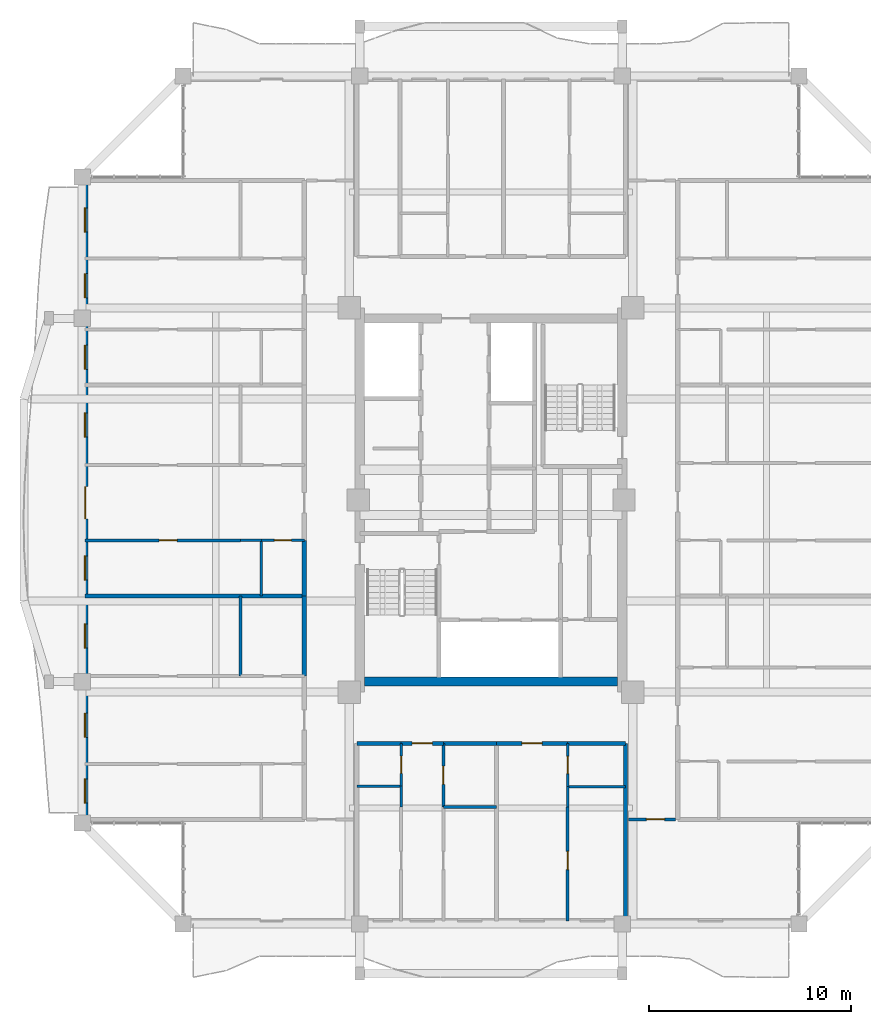
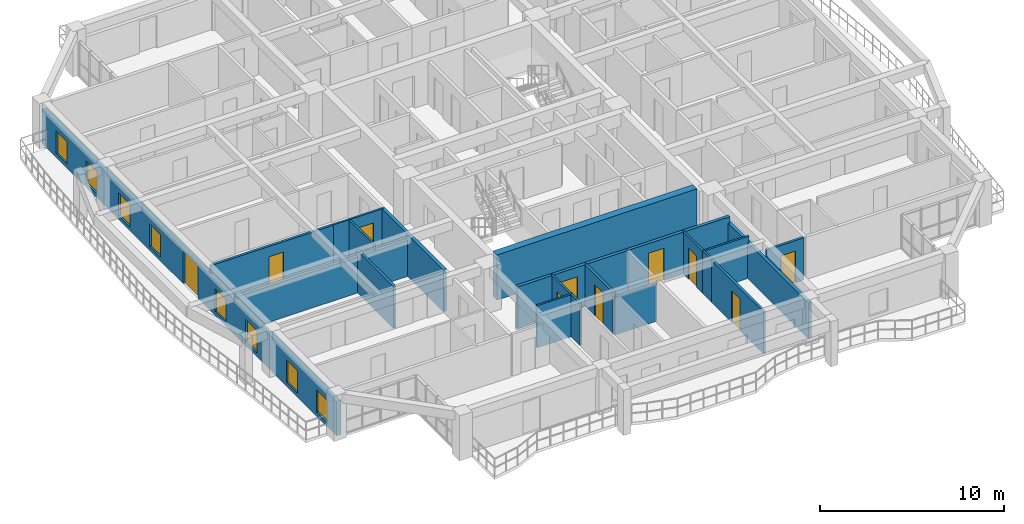
# One storey, part 11 of 22: 26 walls, 10 doors, 8 windows, 18 openings.
"""IFC4 building model written with IfcOpenShell, lengths in metres."""

from ifc_helpers import new_model, si_unit, direction, frame, frame_2d, origin, place, context, subcontext, project, spatial, rectangle, extrude, source, transform, mapped, material, layer, layer_set, type_object, element, fill, save


model = new_model("IFC4")

# Units and contexts
model_context = context("Model", 3, precision=1e-05, world=origin(), true_north=direction((0.0, 1.0)))
body_context = subcontext(model_context, "Body", "Model", "MODEL_VIEW")
ifc_project = project(units=[si_unit("LENGTHUNIT", "METRE"), si_unit("AREAUNIT", "SQUARE_METRE"), si_unit("VOLUMEUNIT", "CUBIC_METRE"), si_unit("PLANEANGLEUNIT", "RADIAN"), si_unit("MASSUNIT", "GRAM", prefix="KILO")], contexts=[model_context])

# Site, building, storey
site_placement = place(None, origin())
site = spatial("IfcSite", under=ifc_project, at=site_placement, CompositionType="ELEMENT")
building_placement = place(site_placement, origin())
building = spatial("IfcBuilding", under=site, at=building_placement, Name="Saelheon Loggia Tower", CompositionType="ELEMENT")
storey_placement = place(building_placement, frame((0.0, 0.0, 176.800048828125)))
storey = spatial("IfcBuildingStorey", under=building, at=storey_placement, Name="L55", CompositionType="ELEMENT", Elevation=176.800048828125)

# Wall
ifc_material_1 = material(Name="Concrete C45/55", Category="concrete")
ifc_layer_1 = layer(ifc_material_1, 0.449951171875)
ifc_layer_set_1 = layer_set([ifc_layer_1], Name="Concrete C45/55")
wall_type_1 = type_object("IfcWallType", Name="Wall_CoreShear_450", PredefinedType="SHEAR", material=ifc_layer_set_1)
wall_1_placement = place(storey_placement, frame((31.72509765625, 18.0, 0.0), z_axis=(0.0, 0.0, 1.0), x_axis=(1.0, 0.0, 0.0)))
element("IfcWall", 1, at=wall_1_placement, inside=storey, type_object=wall_type_1, Name="L55 Core Shear Wall South", PredefinedType="SHEAR", context=body_context, shape_type="SweptSolid", body=[
    extrude(rectangle(XDim=12.5498046875, YDim=0.449951171875, at=frame_2d((6.27490234375, 0.0))), origin(), (0.0, 0.0, 1.0), 3.0),
])

# Wall, openings, windows, door
ifc_material_2 = material(Name="Architectural Precast Concrete C40/50", Category="concrete")
ifc_layer_2 = layer(ifc_material_2, 0.280029296875)
ifc_layer_set_2 = layer_set([ifc_layer_2], Name="Architectural Precast Concrete C40/50")
wall_type_2 = type_object("IfcWallType", Name="Wall_Ext_Loggia_280", PredefinedType="SOLIDWALL", material=ifc_layer_set_2)
wall_2_placement = place(storey_placement, frame((17.889892578125, 11.0, 0.0), z_axis=(0.0, 0.0, 1.0), x_axis=(0.0, 1.0, 0.0)))
wall_2 = element("IfcWall", 2, at=wall_2_placement, inside=storey, type_object=wall_type_2, Name="L55 West Loggia Inner Wall", PredefinedType="SOLIDWALL", context=body_context, shape_type="SweptSolid", body=[
    extrude(rectangle(XDim=32.0, YDim=0.280029296875, at=frame_2d((16.0, 0.0))), origin(), (0.0, 0.0, 1.0), 2.280029296875),
])
opening_1_placement = place(wall_2_placement, frame((0.985107421875, 0.0, 0.25)))
opening_1 = element("IfcOpeningElement", 3, at=opening_1_placement, cuts=wall_2, Name="Opening WN-03", PredefinedType="OPENING", context=body_context, shape_type="SweptSolid", body=[
    extrude(rectangle(XDim=1.199951171875, YDim=1.5, at=frame_2d((0.60009765625, 0.75))), frame((0.0, 0.152099609375, 0.0), z_axis=(0.0, -1.0, 0.0), x_axis=(1.0, 0.0, 0.0)), (0.0, 0.0, 1.0), 0.303955078125),
])
opening_2_placement = place(wall_2_placement, frame((4.2451171875, 0.0, 0.25)))
opening_2 = element("IfcOpeningElement", 4, at=opening_2_placement, cuts=wall_2, Name="Opening WN-03", PredefinedType="OPENING", context=body_context, shape_type="SweptSolid", body=[
    extrude(rectangle(XDim=1.199951171875, YDim=1.5, at=frame_2d((0.60009765625, 0.75))), frame((0.0, 0.152099609375, 0.0), z_axis=(0.0, -1.0, 0.0), x_axis=(1.0, 0.0, 0.0)), (0.0, 0.0, 1.0), 0.303955078125),
])
opening_3_placement = place(wall_2_placement, frame((8.6669921875, 0.0, 0.25)))
opening_3 = element("IfcOpeningElement", 5, at=opening_3_placement, cuts=wall_2, Name="Opening WN-03", PredefinedType="OPENING", context=body_context, shape_type="SweptSolid", body=[
    extrude(rectangle(XDim=1.199951171875, YDim=1.5, at=frame_2d((0.60009765625, 0.75))), frame((0.0, 0.152099609375, 0.0), z_axis=(0.0, -1.0, 0.0), x_axis=(1.0, 0.0, 0.0)), (0.0, 0.0, 1.0), 0.303955078125),
])
opening_4_placement = place(wall_2_placement, frame((12.029052734375, 0.0, 0.25)))
opening_4 = element("IfcOpeningElement", 6, at=opening_4_placement, cuts=wall_2, Name="Opening WN-03", PredefinedType="OPENING", context=body_context, shape_type="SweptSolid", body=[
    extrude(rectangle(XDim=1.199951171875, YDim=1.5, at=frame_2d((0.60009765625, 0.75))), frame((0.0, 0.152099609375, 0.0), z_axis=(0.0, -1.0, 0.0), x_axis=(1.0, 0.0, 0.0)), (0.0, 0.0, 1.0), 0.303955078125),
])
opening_5_placement = place(wall_2_placement, frame((15.065673828125, 0.0, 0.0)))
opening_5 = element("IfcOpeningElement", 7, at=opening_5_placement, cuts=wall_2, Name="Opening DLG-1", PredefinedType="OPENING", context=body_context, shape_type="SweptSolid", body=[
    extrude(rectangle(XDim=1.60009765625, YDim=2.14990234375, at=frame_2d((0.800048828125, 1.074951171875))), frame((0.0, 0.152099609375, 0.0), z_axis=(0.0, -1.0, 0.0), x_axis=(1.0, 0.0, 0.0)), (0.0, 0.0, 1.0), 0.303955078125),
])
opening_6_placement = place(wall_2_placement, frame((19.111328125, 0.0, 0.25)))
opening_6 = element("IfcOpeningElement", 8, at=opening_6_placement, cuts=wall_2, Name="Opening WN-03", PredefinedType="OPENING", context=body_context, shape_type="SweptSolid", body=[
    extrude(rectangle(XDim=1.199951171875, YDim=1.5, at=frame_2d((0.60009765625, 0.75))), frame((0.0, 0.152099609375, 0.0), z_axis=(0.0, -1.0, 0.0), x_axis=(1.0, 0.0, 0.0)), (0.0, 0.0, 1.0), 0.303955078125),
])
opening_7_placement = place(wall_2_placement, frame((22.47021484375, 0.0, 0.25)))
opening_7 = element("IfcOpeningElement", 9, at=opening_7_placement, cuts=wall_2, Name="Opening WN-03", PredefinedType="OPENING", context=body_context, shape_type="SweptSolid", body=[
    extrude(rectangle(XDim=1.199951171875, YDim=1.5, at=frame_2d((0.60009765625, 0.75))), frame((0.0, 0.152099609375, 0.0), z_axis=(0.0, -1.0, 0.0), x_axis=(1.0, 0.0, 0.0)), (0.0, 0.0, 1.0), 0.303955078125),
])
opening_8_placement = place(wall_2_placement, frame((26.00634765625, 0.0, 0.25)))
opening_8 = element("IfcOpeningElement", 10, at=opening_8_placement, cuts=wall_2, Name="Opening WN-03", PredefinedType="OPENING", context=body_context, shape_type="SweptSolid", body=[
    extrude(rectangle(XDim=1.199951171875, YDim=1.5, at=frame_2d((0.60009765625, 0.75))), frame((0.0, 0.152099609375, 0.0), z_axis=(0.0, -1.0, 0.0), x_axis=(1.0, 0.0, 0.0)), (0.0, 0.0, 1.0), 0.303955078125),
])
opening_9_placement = place(wall_2_placement, frame((29.266357421875, 0.0, 0.25)))
opening_9 = element("IfcOpeningElement", 11, at=opening_9_placement, cuts=wall_2, Name="Opening WN-03", PredefinedType="OPENING", context=body_context, shape_type="SweptSolid", body=[
    extrude(rectangle(XDim=1.199951171875, YDim=1.5, at=frame_2d((0.60009765625, 0.75))), frame((0.0, 0.152099609375, 0.0), z_axis=(0.0, -1.0, 0.0), x_axis=(1.0, 0.0, 0.0)), (0.0, 0.0, 1.0), 0.303955078125),
])
ifc_material_3 = material(Name="Thermal-Break Aluminium and Triple Low-E Glass", Category="aluminium")
window_type = type_object("IfcWindowType", Name="Win_Bedroom_1200x1500", PartitioningType="SINGLE_PANEL", PredefinedType="WINDOW", material=ifc_material_3)
shared_shape_1 = source(origin(), body_context, "Body", "SweptSolid", [
    extrude(rectangle(XDim=1.199951171875, YDim=1.5, at=frame_2d((0.60009765625, 0.75))), frame((0.0, 0.030029296875, 0.0), z_axis=(0.0, -1.0, 0.0), x_axis=(1.0, 0.0, 0.0)), (0.0, 0.0, 1.0), 0.06005859375),
])
window_1_placement = place(opening_1_placement, origin())
window_1 = element("IfcWindow", 12, at=window_1_placement, inside=storey, type_object=window_type, Name="L55 W Dwelling Window 1", OverallHeight=1.5, OverallWidth=1.199951171875, PartitioningType="SINGLE_PANEL", PredefinedType="WINDOW", context=body_context, shape_type="MappedRepresentation", body=[
    mapped(shared_shape_1, transform((0.0, 0.0, 0.0), scale=1.0)),
])
fill(opening_1, window_1)
window_2_placement = place(opening_2_placement, origin())
window_2 = element("IfcWindow", 13, at=window_2_placement, inside=storey, type_object=window_type, Name="L55 W Dwelling Window 2", OverallHeight=1.5, OverallWidth=1.199951171875, PartitioningType="SINGLE_PANEL", PredefinedType="WINDOW", context=body_context, shape_type="MappedRepresentation", body=[
    mapped(shared_shape_1, transform((0.0, 0.0, 0.0), scale=1.0)),
])
fill(opening_2, window_2)
window_3_placement = place(opening_3_placement, origin())
window_3 = element("IfcWindow", 14, at=window_3_placement, inside=storey, type_object=window_type, Name="L55 W Dwelling Window 3", OverallHeight=1.5, OverallWidth=1.199951171875, PartitioningType="SINGLE_PANEL", PredefinedType="WINDOW", context=body_context, shape_type="MappedRepresentation", body=[
    mapped(shared_shape_1, transform((0.0, 0.0, 0.0), scale=1.0)),
])
fill(opening_3, window_3)
window_4_placement = place(opening_4_placement, origin())
window_4 = element("IfcWindow", 15, at=window_4_placement, inside=storey, type_object=window_type, Name="L55 W Dwelling Window 4", OverallHeight=1.5, OverallWidth=1.199951171875, PartitioningType="SINGLE_PANEL", PredefinedType="WINDOW", context=body_context, shape_type="MappedRepresentation", body=[
    mapped(shared_shape_1, transform((0.0, 0.0, 0.0), scale=1.0)),
])
fill(opening_4, window_4)
window_5_placement = place(opening_6_placement, origin())
window_5 = element("IfcWindow", 16, at=window_5_placement, inside=storey, type_object=window_type, Name="L55 W Dwelling Window 6", OverallHeight=1.5, OverallWidth=1.199951171875, PartitioningType="SINGLE_PANEL", PredefinedType="WINDOW", context=body_context, shape_type="MappedRepresentation", body=[
    mapped(shared_shape_1, transform((0.0, 0.0, 0.0), scale=1.0)),
])
fill(opening_6, window_5)
window_6_placement = place(opening_7_placement, origin())
window_6 = element("IfcWindow", 17, at=window_6_placement, inside=storey, type_object=window_type, Name="L55 W Dwelling Window 7", OverallHeight=1.5, OverallWidth=1.199951171875, PartitioningType="SINGLE_PANEL", PredefinedType="WINDOW", context=body_context, shape_type="MappedRepresentation", body=[
    mapped(shared_shape_1, transform((0.0, 0.0, 0.0), scale=1.0)),
])
fill(opening_7, window_6)
window_7_placement = place(opening_8_placement, origin())
window_7 = element("IfcWindow", 18, at=window_7_placement, inside=storey, type_object=window_type, Name="L55 W Dwelling Window 8", OverallHeight=1.5, OverallWidth=1.199951171875, PartitioningType="SINGLE_PANEL", PredefinedType="WINDOW", context=body_context, shape_type="MappedRepresentation", body=[
    mapped(shared_shape_1, transform((0.0, 0.0, 0.0), scale=1.0)),
])
fill(opening_8, window_7)
window_8_placement = place(opening_9_placement, origin())
window_8 = element("IfcWindow", 19, at=window_8_placement, inside=storey, type_object=window_type, Name="L55 W Dwelling Window 9", OverallHeight=1.5, OverallWidth=1.199951171875, PartitioningType="SINGLE_PANEL", PredefinedType="WINDOW", context=body_context, shape_type="MappedRepresentation", body=[
    mapped(shared_shape_1, transform((0.0, 0.0, 0.0), scale=1.0)),
])
fill(opening_9, window_8)
ifc_material_4 = material(Name="Thermal-Break Aluminium Sliding Glazed Door", Category="aluminium")
door_type_1 = type_object("IfcDoorType", Name="Door_LoggiaSlide_1600", OperationType="SLIDING_TO_LEFT", PredefinedType="DOOR", material=ifc_material_4)
shared_shape_2 = source(origin(), body_context, "Body", "SweptSolid", [
    extrude(rectangle(XDim=1.60009765625, YDim=2.14990234375, at=frame_2d((0.800048828125, 1.074951171875))), frame((0.0, 0.02490234375, 0.0), z_axis=(0.0, -1.0, 0.0), x_axis=(1.0, 0.0, 0.0)), (0.0, 0.0, 1.0), 0.050048828125),
])
door_1_placement = place(opening_5_placement, origin())
door_1 = element("IfcDoor", 20, at=door_1_placement, inside=storey, type_object=door_type_1, Name="L55 W Loggia Access Door", OperationType="SLIDING_TO_LEFT", OverallHeight=2.14990234375, OverallWidth=1.60009765625, PredefinedType="DOOR", context=body_context, shape_type="MappedRepresentation", body=[
    mapped(shared_shape_2, transform((0.0, 0.0, 0.0), scale=1.0)),
])
fill(opening_5, door_1)

# Wall, opening, door
ifc_material_5 = material(Name="Lightweight Autoclaved Aerated Concrete Block and Acoustic Gypsum", Category="concrete")
ifc_layer_3 = layer(ifc_material_5, 0.14990234375)
ifc_layer_set_3 = layer_set([ifc_layer_3], Name="Lightweight Autoclaved Aerated Concrete Block and Acoustic Gypsum")
wall_type_3 = type_object("IfcWallType", Name="Wall_Part_150", PredefinedType="PARTITIONING", material=ifc_layer_set_3)
wall_3_placement = place(storey_placement, frame((44.820068359375, 11.179931640625, 0.0), z_axis=(0.0, 0.0, 1.0), x_axis=(1.0, 0.0, 0.0)))
wall_3 = element("IfcWall", 21, at=wall_3_placement, inside=storey, type_object=wall_type_3, Name="PW-L55-CSE-H", PredefinedType="PARTITIONING", context=body_context, shape_type="SweptSolid", body=[
    extrude(rectangle(XDim=2.329833984375, YDim=0.14990234375, at=frame_2d((1.1650390625, 0.0))), origin(), (0.0, 0.0, 1.0), 2.7900390625),
])
opening_10_placement = place(wall_3_placement, frame((0.8798828125, 0.0, 0.0)))
opening_10 = element("IfcOpeningElement", 22, at=opening_10_placement, cuts=wall_3, Name="Opening D-IN2", PredefinedType="OPENING", context=body_context, shape_type="SweptSolid", body=[
    extrude(rectangle(XDim=0.89990234375, YDim=2.10009765625, at=frame_2d((0.449951171875, 1.050048828125))), frame((0.0, 0.0869140625, 0.0), z_axis=(0.0, -1.0, 0.0), x_axis=(1.0, 0.0, 0.0)), (0.0, 0.0, 1.0), 0.173828125),
])
ifc_material_6 = material(Name="Engineered Oak Flush Door", Category="timber")
door_type_2 = type_object("IfcDoorType", Name="Door_Int_900", OperationType="NOTDEFINED", PredefinedType="DOOR", material=ifc_material_6)
shared_shape_3 = source(origin(), body_context, "Body", "SweptSolid", [
    extrude(rectangle(XDim=0.89990234375, YDim=2.10009765625, at=frame_2d((0.449951171875, 1.050048828125))), frame((0.0, 0.02490234375, 0.0), z_axis=(0.0, -1.0, 0.0), x_axis=(1.0, 0.0, 0.0)), (0.0, 0.0, 1.0), 0.050048828125),
])
door_2_placement = place(opening_10_placement, origin())
door_2 = element("IfcDoor", 23, at=door_2_placement, inside=storey, type_object=door_type_2, Name="L55 Corner Reading Room SE Door", OperationType="SINGLE_SWING_LEFT", OverallHeight=2.10009765625, OverallWidth=0.89990234375, PredefinedType="DOOR", context=body_context, shape_type="MappedRepresentation", body=[
    mapped(shared_shape_3, transform((0.0, 0.0, 0.0), scale=1.0)),
])
fill(opening_10, door_2)

# Wall
wall_4_placement = place(storey_placement, frame((35.637939453125, 11.7900390625, 0.0), z_axis=(0.0, 0.0, 1.0), x_axis=(1.0, 0.0, 0.0)))
element("IfcWall", 24, at=wall_4_placement, inside=storey, type_object=wall_type_3, Name="L55 S Partition V07", PredefinedType="PARTITIONING", context=body_context, shape_type="SweptSolid", body=[
    extrude(rectangle(XDim=2.628173828125, YDim=0.14990234375, at=frame_2d((1.31396484375, 0.0))), origin(), (0.0, 0.0, 1.0), 2.489990234375),
])

# Wall, opening, door
wall_5_placement = place(storey_placement, frame((35.637939453125, 14.949951171875, 0.0), z_axis=(0.0, 0.0, 1.0), x_axis=(0.0, -1.0, 0.0)))
wall_5 = element("IfcWall", 25, at=wall_5_placement, inside=storey, type_object=wall_type_3, Name="L55 S Partition U11", PredefinedType="PARTITIONING", context=body_context, shape_type="SweptSolid", body=[
    extrude(rectangle(XDim=3.159912109375, YDim=0.14990234375, at=frame_2d((1.580078125, 0.0))), origin(), (0.0, 0.0, 1.0), 2.7900390625),
])
opening_11_placement = place(wall_5_placement, frame((1.1298828125, 0.0, 0.0)))
opening_11 = element("IfcOpeningElement", 26, at=opening_11_placement, cuts=wall_5, Name="Opening D-IN2", PredefinedType="OPENING", context=body_context, shape_type="SweptSolid", body=[
    extrude(rectangle(XDim=0.89990234375, YDim=2.10009765625, at=frame_2d((0.449951171875, 1.050048828125))), frame((0.0, 0.0869140625, 0.0), z_axis=(0.0, -1.0, 0.0), x_axis=(1.0, 0.0, 0.0)), (0.0, 0.0, 1.0), 0.173828125),
])
door_3_placement = place(opening_11_placement, origin())
door_3 = element("IfcDoor", 27, at=door_3_placement, inside=storey, type_object=door_type_2, Name="Unit U01 Dressing Closet Door", OperationType="SINGLE_SWING_RIGHT", OverallHeight=2.10009765625, OverallWidth=0.89990234375, PredefinedType="DOOR", context=body_context, shape_type="MappedRepresentation", body=[
    mapped(shared_shape_3, transform((0.0, 0.0, 0.0), scale=1.0)),
])
fill(opening_11, door_3)

wall_6_placement = place(storey_placement, frame((41.800048828125, 11.7900390625, 0.0), z_axis=(0.0, 0.0, 1.0), x_axis=(0.0, -1.0, 0.0)))
wall_6 = element("IfcWall", 28, at=wall_6_placement, inside=storey, type_object=wall_type_3, Name="L55 S Partition U19", PredefinedType="PARTITIONING", context=body_context, shape_type="SweptSolid", body=[
    extrude(rectangle(XDim=5.64013671875, YDim=0.14990234375, at=frame_2d((2.820068359375, 0.0))), origin(), (0.0, 0.0, 1.0), 2.7900390625),
])
opening_12_placement = place(wall_6_placement, frame((2.1923828125, 0.0, 0.0)))
opening_12 = element("IfcOpeningElement", 29, at=opening_12_placement, cuts=wall_6, Name="Opening D-IN2", PredefinedType="OPENING", context=body_context, shape_type="SweptSolid", body=[
    extrude(rectangle(XDim=0.89990234375, YDim=2.10009765625, at=frame_2d((0.449951171875, 1.050048828125))), frame((0.0, 0.0869140625, 0.0), z_axis=(0.0, -1.0, 0.0), x_axis=(1.0, 0.0, 0.0)), (0.0, 0.0, 1.0), 0.173828125),
])
door_4_placement = place(opening_12_placement, origin())
door_4 = element("IfcDoor", 30, at=door_4_placement, inside=storey, type_object=door_type_2, Name="Unit U02 Kitchen Door", OperationType="SINGLE_SWING_RIGHT", OverallHeight=2.10009765625, OverallWidth=0.89990234375, PredefinedType="DOOR", context=body_context, shape_type="MappedRepresentation", body=[
    mapped(shared_shape_3, transform((0.0, 0.0, 0.0), scale=1.0)),
])
fill(opening_12, door_4)

# Wall
wall_7_placement = place(storey_placement, frame((25.590087890625, 18.280029296875, 0.0), z_axis=(0.0, 0.0, 1.0), x_axis=(0.0, 1.0, 0.0)))
element("IfcWall", 31, at=wall_7_placement, inside=storey, type_object=wall_type_3, Name="L55 W Partition V07", PredefinedType="PARTITIONING", context=body_context, shape_type="SweptSolid", body=[
    extrude(rectangle(XDim=3.973876953125, YDim=0.14990234375, at=frame_2d((1.98681640625, 0.0))), origin(), (0.0, 0.0, 1.0), 2.7900390625),
])

# Wall, opening, door
wall_8_placement = place(storey_placement, frame((25.590087890625, 25.00390625, 0.0), z_axis=(0.0, 0.0, 1.0), x_axis=(-1.0, 0.0, 0.0)))
wall_8 = element("IfcWall", 32, at=wall_8_placement, inside=storey, type_object=wall_type_3, Name="L55 W Partition U21", PredefinedType="PARTITIONING", context=body_context, shape_type="SweptSolid", body=[
    extrude(rectangle(XDim=7.690185546875, YDim=0.14990234375, at=frame_2d((3.84521484375, 0.0))), origin(), (0.0, 0.0, 1.0), 2.7900390625),
])
opening_13_placement = place(wall_8_placement, frame((3.132080078125, 0.0, 0.0)))
opening_13 = element("IfcOpeningElement", 33, at=opening_13_placement, cuts=wall_8, Name="Opening D-IN2", PredefinedType="OPENING", context=body_context, shape_type="SweptSolid", body=[
    extrude(rectangle(XDim=0.89990234375, YDim=2.10009765625, at=frame_2d((0.449951171875, 1.050048828125))), frame((0.0, 0.0869140625, 0.0), z_axis=(0.0, -1.0, 0.0), x_axis=(1.0, 0.0, 0.0)), (0.0, 0.0, 1.0), 0.173828125),
])
door_5_placement = place(opening_13_placement, origin())
door_5 = element("IfcDoor", 34, at=door_5_placement, inside=storey, type_object=door_type_2, Name="Unit U06 Kitchen Door", OperationType="SINGLE_SWING_LEFT", OverallHeight=2.10009765625, OverallWidth=0.89990234375, PredefinedType="DOOR", context=body_context, shape_type="MappedRepresentation", body=[
    mapped(shared_shape_3, transform((0.0, 0.0, 0.0), scale=1.0)),
])
fill(opening_13, door_5)

# Walls
ifc_material_7 = material(Name="Double Acoustic Stud and Fireboard Partition", Category="gypsum")
ifc_layer_4 = layer(ifc_material_7, 0.199951171875)
ifc_layer_set_4 = layer_set([ifc_layer_4], Name="Double Acoustic Stud and Fireboard Partition")
wall_type_4 = type_object("IfcWallType", Name="Wall_Party_200", PredefinedType="PARTITIONING", material=ifc_layer_set_4)
wall_9_placement = place(storey_placement, frame((44.64990234375, 14.949951171875, 0.0), z_axis=(0.0, 0.0, 1.0), x_axis=(0.0, -1.0, 0.0)))
element("IfcWall", 35, at=wall_9_placement, inside=storey, type_object=wall_type_4, Name="L55 S Partition U02", PredefinedType="PARTITIONING", context=body_context, shape_type="SweptSolid", body=[
    extrude(rectangle(XDim=8.800048828125, YDim=0.199951171875, at=frame_2d((4.39990234375, 0.0))), origin(), (0.0, 0.0, 1.0), 2.389892578125),
])
wall_10_placement = place(storey_placement, frame((31.35009765625, 14.949951171875, 0.0), z_axis=(0.0, 0.0, 1.0), x_axis=(1.0, 0.0, 0.0)))
element("IfcWall", 36, at=wall_10_placement, inside=storey, type_object=wall_type_4, Name="L55 S Partition V03", PredefinedType="PARTITIONING", context=body_context, shape_type="SweptSolid", body=[
    extrude(rectangle(XDim=2.199951171875, YDim=0.199951171875, at=frame_2d((1.10009765625, 0.0))), origin(), (0.0, 0.0, 1.0), 2.7900390625),
])

# Wall, opening, door
wall_11_placement = place(storey_placement, frame((33.550048828125, 14.949951171875, 0.0), z_axis=(0.0, 0.0, 1.0), x_axis=(1.0, 0.0, 0.0)))
wall_11 = element("IfcWall", 37, at=wall_11_placement, inside=storey, type_object=wall_type_4, Name="L55 S Partition V04", PredefinedType="PARTITIONING", context=body_context, shape_type="SweptSolid", body=[
    extrude(rectangle(XDim=2.087890625, YDim=0.199951171875, at=frame_2d((1.0439453125, 0.0))), origin(), (0.0, 0.0, 1.0), 2.7900390625),
])
opening_14_placement = place(wall_11_placement, frame((0.5439453125, 0.0, 0.0)))
opening_14 = element("IfcOpeningElement", 38, at=opening_14_placement, cuts=wall_11, Name="Opening D-FD1", PredefinedType="OPENING", context=body_context, shape_type="SweptSolid", body=[
    extrude(rectangle(XDim=1.0, YDim=2.14990234375, at=frame_2d((0.5, 1.074951171875))), frame((0.0, 0.112060546875, 0.0), z_axis=(0.0, -1.0, 0.0), x_axis=(1.0, 0.0, 0.0)), (0.0, 0.0, 1.0), 0.223876953125),
])
ifc_material_8 = material(Name="Fire-Rated Engineered Timber Entrance Door", Category="wood")
door_type_3 = type_object("IfcDoorType", Name="Door_Flat_FD30S", OperationType="NOTDEFINED", PredefinedType="DOOR", material=ifc_material_8)
shared_shape_4 = source(origin(), body_context, "Body", "SweptSolid", [
    extrude(rectangle(XDim=1.0, YDim=2.14990234375, at=frame_2d((0.5, 1.074951171875))), frame((0.0, 0.02490234375, 0.0), z_axis=(0.0, -1.0, 0.0), x_axis=(1.0, 0.0, 0.0)), (0.0, 0.0, 1.0), 0.050048828125),
])
door_6_placement = place(opening_14_placement, origin())
door_6 = element("IfcDoor", 39, at=door_6_placement, inside=storey, type_object=door_type_3, Name="Unit U01 Entrance Door", OperationType="SINGLE_SWING_LEFT", OverallHeight=2.14990234375, OverallWidth=1.0, PredefinedType="DOOR", context=body_context, shape_type="MappedRepresentation", body=[
    mapped(shared_shape_4, transform((0.0, 0.0, 0.0), scale=1.0)),
])
fill(opening_14, door_6)

# Wall
wall_12_placement = place(storey_placement, frame((35.637939453125, 14.949951171875, 0.0), z_axis=(0.0, 0.0, 1.0), x_axis=(1.0, 0.0, 0.0)))
element("IfcWall", 40, at=wall_12_placement, inside=storey, type_object=wall_type_4, Name="L55 S Partition V05", PredefinedType="PARTITIONING", context=body_context, shape_type="SweptSolid", body=[
    extrude(rectangle(XDim=2.628173828125, YDim=0.199951171875, at=frame_2d((1.31396484375, 0.0))), origin(), (0.0, 0.0, 1.0), 2.7900390625),
])

# Wall, opening, door
wall_13_placement = place(storey_placement, frame((38.26611328125, 14.949951171875, 0.0), z_axis=(0.0, 0.0, 1.0), x_axis=(1.0, 0.0, 0.0)))
wall_13 = element("IfcWall", 41, at=wall_13_placement, inside=storey, type_object=wall_type_4, Name="L55 S Partition V14", PredefinedType="PARTITIONING", context=body_context, shape_type="SweptSolid", body=[
    extrude(rectangle(XDim=3.533935546875, YDim=0.199951171875, at=frame_2d((1.76708984375, 0.0))), origin(), (0.0, 0.0, 1.0), 2.7900390625),
])
opening_15_placement = place(wall_13_placement, frame((1.26708984375, 0.0, 0.0)))
opening_15 = element("IfcOpeningElement", 42, at=opening_15_placement, cuts=wall_13, Name="Opening D-FD1", PredefinedType="OPENING", context=body_context, shape_type="SweptSolid", body=[
    extrude(rectangle(XDim=1.0, YDim=2.14990234375, at=frame_2d((0.5, 1.074951171875))), frame((0.0, 0.112060546875, 0.0), z_axis=(0.0, -1.0, 0.0), x_axis=(1.0, 0.0, 0.0)), (0.0, 0.0, 1.0), 0.223876953125),
])
door_7_placement = place(opening_15_placement, origin())
door_7 = element("IfcDoor", 43, at=door_7_placement, inside=storey, type_object=door_type_3, Name="Unit U02 Entrance Door", OperationType="SINGLE_SWING_RIGHT", OverallHeight=2.14990234375, OverallWidth=1.0, PredefinedType="DOOR", context=body_context, shape_type="MappedRepresentation", body=[
    mapped(shared_shape_4, transform((0.0, 0.0, 0.0), scale=1.0)),
])
fill(opening_15, door_7)

# Walls
wall_14_placement = place(storey_placement, frame((41.800048828125, 14.949951171875, 0.0), z_axis=(0.0, 0.0, 1.0), x_axis=(1.0, 0.0, 0.0)))
element("IfcWall", 44, at=wall_14_placement, inside=storey, type_object=wall_type_4, Name="L55 S Partition V15", PredefinedType="PARTITIONING", context=body_context, shape_type="SweptSolid", body=[
    extrude(rectangle(XDim=2.849853515625, YDim=0.199951171875, at=frame_2d((1.4248046875, 0.0))), origin(), (0.0, 0.0, 1.0), 2.7900390625),
])
wall_15_placement = place(storey_placement, frame((28.75, 18.280029296875, 0.0), z_axis=(0.0, 0.0, 1.0), x_axis=(0.0, 1.0, 0.0)))
element("IfcWall", 45, at=wall_15_placement, inside=storey, type_object=wall_type_4, Name="L55 W Partition V05", PredefinedType="PARTITIONING", context=body_context, shape_type="SweptSolid", body=[
    extrude(rectangle(XDim=3.973876953125, YDim=0.199951171875, at=frame_2d((1.98681640625, 0.0))), origin(), (0.0, 0.0, 1.0), 2.7900390625),
])
wall_16_placement = place(storey_placement, frame((28.75, 22.25390625, 0.0), z_axis=(0.0, 0.0, 1.0), x_axis=(-1.0, 0.0, 0.0)))
element("IfcWall", 46, at=wall_16_placement, inside=storey, type_object=wall_type_4, Name="L55 W Partition U13", PredefinedType="PARTITIONING", context=body_context, shape_type="SweptSolid", body=[
    extrude(rectangle(XDim=10.85009765625, YDim=0.199951171875, at=frame_2d((5.425048828125, 0.0))), origin(), (0.0, 0.0, 1.0), 2.389892578125),
])
wall_17_placement = place(storey_placement, frame((28.75, 22.25390625, 0.0), z_axis=(0.0, 0.0, 1.0), x_axis=(0.0, 1.0, 0.0)))
element("IfcWall", 47, at=wall_17_placement, inside=storey, type_object=wall_type_4, Name="L55 W Partition V14", PredefinedType="PARTITIONING", context=body_context, shape_type="SweptSolid", body=[
    extrude(rectangle(XDim=2.75, YDim=0.199951171875, at=frame_2d((1.375, 0.0))), origin(), (0.0, 0.0, 1.0), 2.7900390625),
])
ifc_material_9 = material(Name="Moisture-Resistant Cement Board Partition", Category="gypsum")
ifc_layer_5 = layer(ifc_material_9, 0.1201171875)
ifc_layer_set_5 = layer_set([ifc_layer_5], Name="Moisture-Resistant Cement Board Partition")
wall_type_5 = type_object("IfcWallType", Name="Wall_WetPart_120", PredefinedType="PARTITIONING", material=ifc_layer_set_5)
wall_18_placement = place(storey_placement, frame((31.35009765625, 12.830078125, 0.0), z_axis=(0.0, 0.0, 1.0), x_axis=(1.0, 0.0, 0.0)))
element("IfcWall", 48, at=wall_18_placement, inside=storey, type_object=wall_type_5, Name="L55 S Partition V06", PredefinedType="PARTITIONING", context=body_context, shape_type="SweptSolid", body=[
    extrude(rectangle(XDim=2.199951171875, YDim=0.1201171875, at=frame_2d((1.10009765625, 0.0))), origin(), (0.0, 0.0, 1.0), 2.7900390625),
])

# Wall, opening, door
wall_19_placement = place(storey_placement, frame((33.550048828125, 14.949951171875, 0.0), z_axis=(0.0, 0.0, 1.0), x_axis=(0.0, -1.0, 0.0)))
wall_19 = element("IfcWall", 49, at=wall_19_placement, inside=storey, type_object=wall_type_5, Name="L55 S Partition U08", PredefinedType="PARTITIONING", context=body_context, shape_type="SweptSolid", body=[
    extrude(rectangle(XDim=2.119873046875, YDim=0.1201171875, at=frame_2d((1.06005859375, 0.0))), origin(), (0.0, 0.0, 1.0), 2.7900390625),
])
opening_16_placement = place(wall_19_placement, frame((0.635009765625, 0.0, 0.0)))
opening_16 = element("IfcOpeningElement", 50, at=opening_16_placement, cuts=wall_19, Name="Opening D-BT1", PredefinedType="OPENING", context=body_context, shape_type="SweptSolid", body=[
    extrude(rectangle(XDim=0.85009765625, YDim=2.050048828125, at=frame_2d((0.425048828125, 1.02490234375))), frame((0.0, 0.072021484375, 0.0), z_axis=(0.0, -1.0, 0.0), x_axis=(1.0, 0.0, 0.0)), (0.0, 0.0, 1.0), 0.14404296875),
])
ifc_material_10 = material(Name="Moisture-Resistant Laminate Timber Door", Category="wood")
door_type_4 = type_object("IfcDoorType", Name="Door_Bath_850", OperationType="NOTDEFINED", PredefinedType="DOOR", material=ifc_material_10)
shared_shape_5 = source(origin(), body_context, "Body", "SweptSolid", [
    extrude(rectangle(XDim=0.85009765625, YDim=2.050048828125, at=frame_2d((0.425048828125, 1.02490234375))), frame((0.0, 0.02490234375, 0.0), z_axis=(0.0, -1.0, 0.0), x_axis=(1.0, 0.0, 0.0)), (0.0, 0.0, 1.0), 0.050048828125),
])
door_8_placement = place(opening_16_placement, origin())
door_8 = element("IfcDoor", 51, at=door_8_placement, inside=storey, type_object=door_type_4, Name="Unit U01 Bathroom Door", OperationType="SINGLE_SWING_RIGHT", OverallHeight=2.050048828125, OverallWidth=0.85009765625, PredefinedType="DOOR", context=body_context, shape_type="MappedRepresentation", body=[
    mapped(shared_shape_5, transform((0.0, 0.0, 0.0), scale=1.0)),
])
fill(opening_16, door_8)

# Wall
wall_20_placement = place(storey_placement, frame((33.550048828125, 12.830078125, 0.0), z_axis=(0.0, 0.0, 1.0), x_axis=(0.0, -1.0, 0.0)))
element("IfcWall", 52, at=wall_20_placement, inside=storey, type_object=wall_type_5, Name="L55 S Partition U09", PredefinedType="PARTITIONING", context=body_context, shape_type="SweptSolid", body=[
    extrude(rectangle(XDim=1.0400390625, YDim=0.1201171875, at=frame_2d((0.52001953125, 0.0))), origin(), (0.0, 0.0, 1.0), 2.7900390625),
])

# Wall, opening, door
wall_21_placement = place(storey_placement, frame((41.800048828125, 14.949951171875, 0.0), z_axis=(0.0, 0.0, 1.0), x_axis=(0.0, -1.0, 0.0)))
wall_21 = element("IfcWall", 53, at=wall_21_placement, inside=storey, type_object=wall_type_5, Name="L55 S Partition U16", PredefinedType="PARTITIONING", context=body_context, shape_type="SweptSolid", body=[
    extrude(rectangle(XDim=2.14990234375, YDim=0.1201171875, at=frame_2d((1.074951171875, 0.0))), origin(), (0.0, 0.0, 1.0), 2.7900390625),
])
opening_17_placement = place(wall_21_placement, frame((0.64990234375, 0.0, 0.0)))
opening_17 = element("IfcOpeningElement", 54, at=opening_17_placement, cuts=wall_21, Name="Opening D-BT1", PredefinedType="OPENING", context=body_context, shape_type="SweptSolid", body=[
    extrude(rectangle(XDim=0.85009765625, YDim=2.050048828125, at=frame_2d((0.425048828125, 1.02490234375))), frame((0.0, 0.072021484375, 0.0), z_axis=(0.0, -1.0, 0.0), x_axis=(1.0, 0.0, 0.0)), (0.0, 0.0, 1.0), 0.14404296875),
])
door_9_placement = place(opening_17_placement, origin())
door_9 = element("IfcDoor", 55, at=door_9_placement, inside=storey, type_object=door_type_4, Name="Unit U02 Bathroom Door", OperationType="SINGLE_SWING_LEFT", OverallHeight=2.050048828125, OverallWidth=0.85009765625, PredefinedType="DOOR", context=body_context, shape_type="MappedRepresentation", body=[
    mapped(shared_shape_5, transform((0.0, 0.0, 0.0), scale=1.0)),
])
fill(opening_17, door_9)

# Walls
wall_22_placement = place(storey_placement, frame((41.800048828125, 12.800048828125, 0.0), z_axis=(0.0, 0.0, 1.0), x_axis=(0.0, -1.0, 0.0)))
element("IfcWall", 56, at=wall_22_placement, inside=storey, type_object=wall_type_5, Name="L55 S Partition U17", PredefinedType="PARTITIONING", context=body_context, shape_type="SweptSolid", body=[
    extrude(rectangle(XDim=1.010009765625, YDim=0.1201171875, at=frame_2d((0.5048828125, 0.0))), origin(), (0.0, 0.0, 1.0), 2.7900390625),
])
wall_23_placement = place(storey_placement, frame((41.800048828125, 12.800048828125, 0.0), z_axis=(0.0, 0.0, 1.0), x_axis=(1.0, 0.0, 0.0)))
element("IfcWall", 57, at=wall_23_placement, inside=storey, type_object=wall_type_5, Name="L55 S Partition V18", PredefinedType="PARTITIONING", context=body_context, shape_type="SweptSolid", body=[
    extrude(rectangle(XDim=2.849853515625, YDim=0.1201171875, at=frame_2d((1.4248046875, 0.0))), origin(), (0.0, 0.0, 1.0), 2.7900390625),
])
wall_24_placement = place(storey_placement, frame((26.6298828125, 22.25390625, 0.0), z_axis=(0.0, 0.0, 1.0), x_axis=(0.0, 1.0, 0.0)))
element("IfcWall", 58, at=wall_24_placement, inside=storey, type_object=wall_type_5, Name="L55 W Partition V17", PredefinedType="PARTITIONING", context=body_context, shape_type="SweptSolid", body=[
    extrude(rectangle(XDim=2.75, YDim=0.1201171875, at=frame_2d((1.375, 0.0))), origin(), (0.0, 0.0, 1.0), 2.7900390625),
])

# Wall, opening, door
wall_25_placement = place(storey_placement, frame((28.75, 25.00390625, 0.0), z_axis=(0.0, 0.0, 1.0), x_axis=(-1.0, 0.0, 0.0)))
wall_25 = element("IfcWall", 59, at=wall_25_placement, inside=storey, type_object=wall_type_5, Name="L55 W Partition U19", PredefinedType="PARTITIONING", context=body_context, shape_type="SweptSolid", body=[
    extrude(rectangle(XDim=2.1201171875, YDim=0.1201171875, at=frame_2d((1.06005859375, 0.0))), origin(), (0.0, 0.0, 1.0), 2.7900390625),
])
opening_18_placement = place(wall_25_placement, frame((0.635009765625, 0.0, 0.0)))
opening_18 = element("IfcOpeningElement", 60, at=opening_18_placement, cuts=wall_25, Name="Opening D-BT1", PredefinedType="OPENING", context=body_context, shape_type="SweptSolid", body=[
    extrude(rectangle(XDim=0.85009765625, YDim=2.050048828125, at=frame_2d((0.425048828125, 1.02490234375))), frame((0.0, 0.072021484375, 0.0), z_axis=(0.0, -1.0, 0.0), x_axis=(1.0, 0.0, 0.0)), (0.0, 0.0, 1.0), 0.14404296875),
])
door_10_placement = place(opening_18_placement, origin())
door_10 = element("IfcDoor", 61, at=door_10_placement, inside=storey, type_object=door_type_4, Name="Unit U06 Bathroom Door", OperationType="SINGLE_SWING_RIGHT", OverallHeight=2.050048828125, OverallWidth=0.85009765625, PredefinedType="DOOR", context=body_context, shape_type="MappedRepresentation", body=[
    mapped(shared_shape_5, transform((0.0, 0.0, 0.0), scale=1.0)),
])
fill(opening_18, door_10)

# Wall
wall_26_placement = place(storey_placement, frame((26.6298828125, 25.00390625, 0.0), z_axis=(0.0, 0.0, 1.0), x_axis=(-1.0, 0.0, 0.0)))
element("IfcWall", 62, at=wall_26_placement, inside=storey, type_object=wall_type_5, Name="L55 W Partition U20", PredefinedType="PARTITIONING", context=body_context, shape_type="SweptSolid", body=[
    extrude(rectangle(XDim=1.039794921875, YDim=0.1201171875, at=frame_2d((0.52001953125, 0.0))), origin(), (0.0, 0.0, 1.0), 2.7900390625),
])

save(model, "model.ifc")
